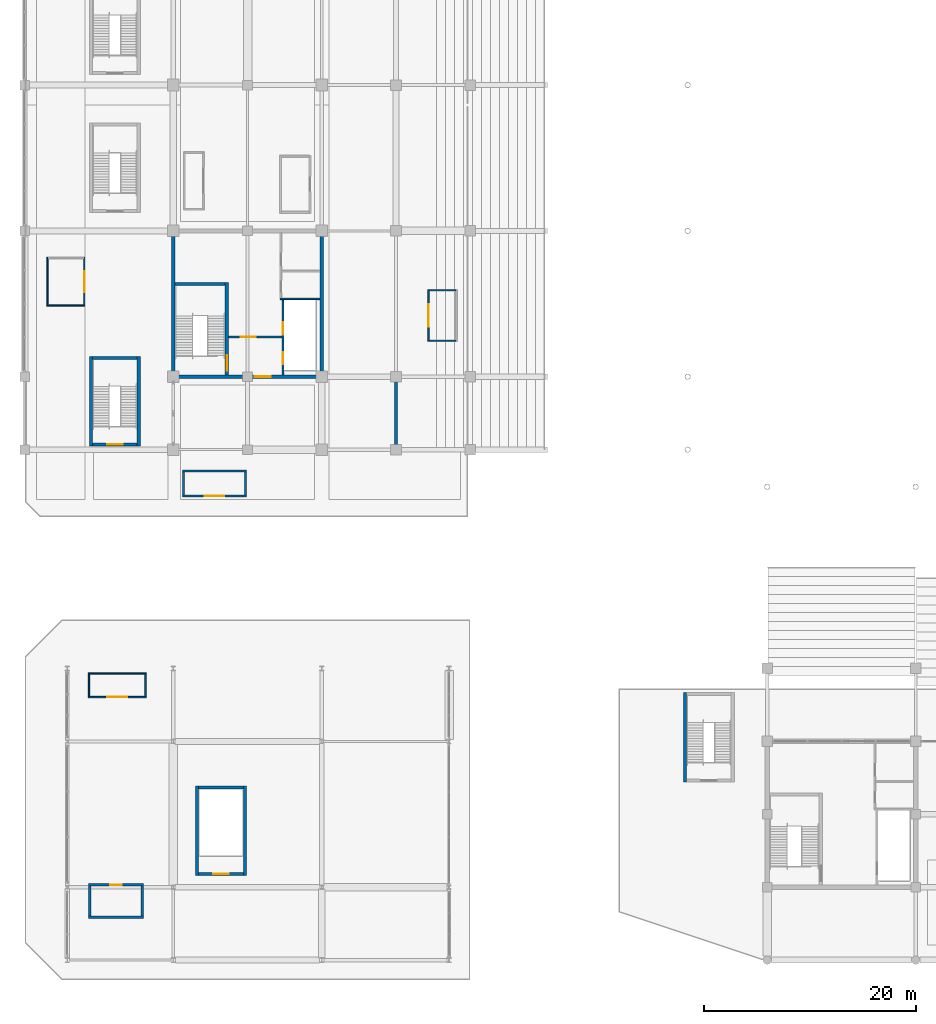
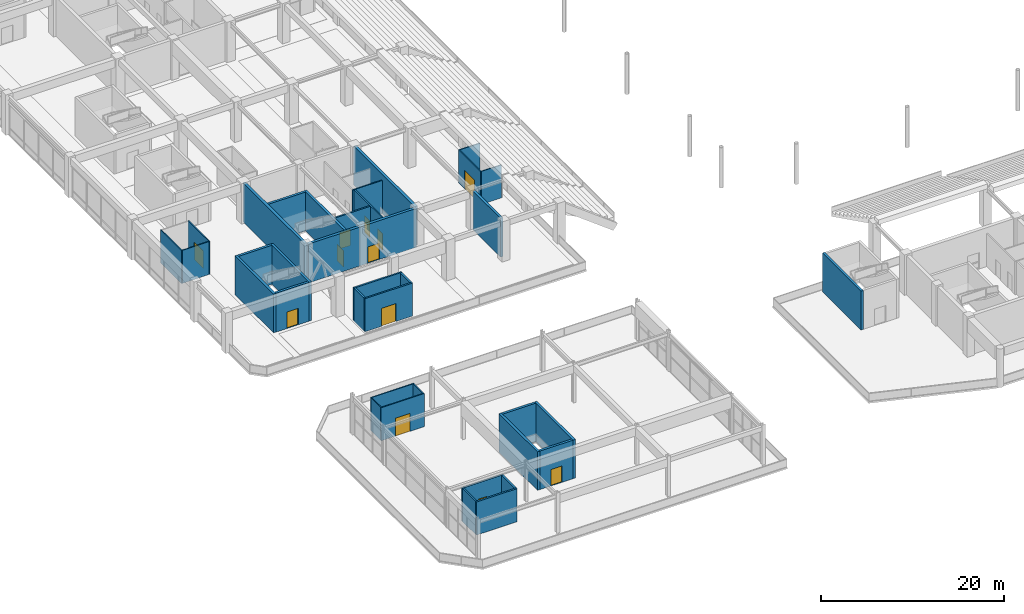
# One storey, part 87 of 117: 36 walls, 12 doors, 12 openings.
"""IFC4 building model written with IfcOpenShell, lengths in metres."""

from ifc_helpers import new_model, si_unit, direction, frame, frame_2d, origin, place, context, subcontext, project, spatial, rectangle, extrude, material, layer, layer_set, type_object, element, fill, save


model = new_model("IFC4")

# Units and contexts
model_context = context("Model", 3, precision=1e-05, world=origin(), true_north=direction((0.0, 1.0)))
body_context = subcontext(model_context, "Body", "Model", "MODEL_VIEW")
ifc_project = project(units=[si_unit("LENGTHUNIT", "METRE"), si_unit("AREAUNIT", "SQUARE_METRE"), si_unit("VOLUMEUNIT", "CUBIC_METRE"), si_unit("PLANEANGLEUNIT", "RADIAN"), si_unit("MASSUNIT", "GRAM", prefix="KILO")], contexts=[model_context])

# Site, building, storey
site_placement = place(None, origin())
site = spatial("IfcSite", under=ifc_project, at=site_placement, CompositionType="ELEMENT")
building_placement = place(site_placement, origin())
building = spatial("IfcBuilding", under=site, at=building_placement, Name="Linyun Crest Stadium", CompositionType="ELEMENT")
storey_placement = place(building_placement, frame((0.0, 0.0, 6.0)))
storey = spatial("IfcBuildingStorey", under=building, at=storey_placement, Name="L02", CompositionType="ELEMENT", Elevation=6.0)

# Walls
ifc_material_1 = material(Name="Concrete C50", Category="concrete")
ifc_layer_1 = layer(ifc_material_1, 0.35009765625)
ifc_layer_set_1 = layer_set([ifc_layer_1], Name="Concrete C50")
wall_type_1 = type_object("IfcWallType", Name="CW01", PredefinedType="SHEAR", material=ifc_layer_set_1)
for number, where, z_axis, x_axis, name in (
    (1, (-84.0, -38.949951171875, 0.0), (0.0, 0.0, 1.0), (0.0, 1.0, 0.0), "Core shear wall CW01 CORE-W1 L02.1"),
    (2, (-70.0, -38.949951171875, 0.0), (0.0, 0.0, 1.0), (0.0, 1.0, 0.0), "Core shear wall CW01 CORE-W1 L02.2"),
):
    element("IfcWall", number, at=place(storey_placement, frame(where, z_axis=z_axis, x_axis=x_axis)), inside=storey, type_object=wall_type_1, Name=name, PredefinedType="SHEAR", context=body_context, shape_type="SweptSolid", body=[
        extrude(rectangle(XDim=13.39990234375, YDim=0.35009765625, at=frame_2d((6.699951171875, 0.0))), origin(), (0.0, 0.0, 1.0), 5.199951171875),
    ])

# Wall, opening, door
wall_1_placement = place(storey_placement, frame((-83.824951171875, -39.125, 0.0), z_axis=(0.0, 0.0, 1.0), x_axis=(1.0, 0.0, 0.0)))
wall_1 = element("IfcWall", 3, at=wall_1_placement, inside=storey, type_object=wall_type_1, Name="Core shear wall CW01 CORE-W1 L02.3", PredefinedType="SHEAR", context=body_context, shape_type="SweptSolid", body=[
    extrude(rectangle(XDim=13.64990234375, YDim=0.35009765625, at=frame_2d((6.824951171875, 0.0))), origin(), (0.0, 0.0, 1.0), 5.199951171875),
])
opening_1_placement = place(wall_1_placement, frame((7.508056640625, 0.0, 0.0)))
opening_1 = element("IfcOpeningElement", 4, at=opening_1_placement, cuts=wall_1, Name="Opening D-L02-015", PredefinedType="OPENING", context=body_context, shape_type="SweptSolid", body=[
    extrude(rectangle(XDim=1.5, YDim=2.199951171875, at=frame_2d((0.75, 1.10009765625))), frame((0.0, 0.18505859375, 0.0), z_axis=(0.0, -1.0, 0.0), x_axis=(1.0, 0.0, 0.0)), (0.0, 0.0, 1.0), 0.3701171875),
])
ifc_material_2 = material(Name="Galvanized steel Class A fire door", Category="steel")
ifc_layer_2 = layer(ifc_material_2, 0.054931640625)
ifc_layer_set_2 = layer_set([ifc_layer_2], Name="Galvanized steel Class A fire door")
door_type_1 = type_object("IfcDoorType", Name="FD01", OperationType="NOTDEFINED", PredefinedType="DOOR", material=ifc_layer_set_2)
door_1_placement = place(opening_1_placement, origin())
door_1 = element("IfcDoor", 5, at=door_1_placement, inside=storey, type_object=door_type_1, Name="Door D-L02-015", OperationType="SINGLE_SWING_LEFT", OverallHeight=2.199951171875, OverallWidth=1.5, PredefinedType="DOOR", context=body_context, shape_type="SweptSolid", body=[
    extrude(rectangle(XDim=1.5, YDim=2.199951171875, at=frame_2d((0.75, 1.10009765625))), frame((0.0, 0.02490234375, 0.0), z_axis=(0.0, -1.0, 0.0), x_axis=(1.0, 0.0, 0.0)), (0.0, 0.0, 1.0), 0.050048828125),
])
fill(opening_1, door_1)

ifc_material_3 = material(Name="Autoclaved aerated concrete block with fireboard", Category="concrete")
ifc_layer_3 = layer(ifc_material_3, 0.199951171875)
ifc_layer_set_3 = layer_set([ifc_layer_3], Name="Autoclaved aerated concrete block with fireboard")
wall_type_2 = type_object("IfcWallType", Name="PW11", PredefinedType="PARTITIONING", material=ifc_layer_set_3)
wall_2_placement = place(storey_placement, frame((-78.800048828125, -35.375, 0.0), z_axis=(0.0, 0.0, 1.0), x_axis=(1.0, 0.0, 0.0)))
wall_2 = element("IfcWall", 6, at=wall_2_placement, inside=storey, type_object=wall_type_2, Name="Partition PW11 L02 7", PredefinedType="PARTITIONING", context=body_context, shape_type="SweptSolid", body=[
    extrude(rectangle(XDim=5.06005859375, YDim=0.199951171875, at=frame_2d((2.530029296875, 0.0))), origin(), (0.0, 0.0, 1.0), 4.419921875),
])
opening_2_placement = place(wall_2_placement, frame((1.169921875, 0.0, 0.0)))
opening_2 = element("IfcOpeningElement", 7, at=opening_2_placement, cuts=wall_2, Name="Opening D-L02-017", PredefinedType="OPENING", context=body_context, shape_type="SweptSolid", body=[
    extrude(rectangle(XDim=1.39990234375, YDim=2.199951171875, at=frame_2d((0.699951171875, 1.10009765625))), frame((0.0, 0.10986328125, 0.0), z_axis=(0.0, -1.0, 0.0), x_axis=(1.0, 0.0, 0.0)), (0.0, 0.0, 1.0), 0.219970703125),
])
ifc_material_4 = material(Name="Galvanized steel Class B fire door", Category="steel")
ifc_layer_4 = layer(ifc_material_4, 0.054931640625)
ifc_layer_set_4 = layer_set([ifc_layer_4], Name="Galvanized steel Class B fire door")
door_type_2 = type_object("IfcDoorType", Name="FD03", OperationType="NOTDEFINED", PredefinedType="DOOR", material=ifc_layer_set_4)
door_2_placement = place(opening_2_placement, origin())
door_2 = element("IfcDoor", 8, at=door_2_placement, inside=storey, type_object=door_type_2, Name="Door D-L02-017", OperationType="SINGLE_SWING_LEFT", OverallHeight=2.199951171875, OverallWidth=1.39990234375, PredefinedType="DOOR", context=body_context, shape_type="SweptSolid", body=[
    extrude(rectangle(XDim=1.39990234375, YDim=2.199951171875, at=frame_2d((0.699951171875, 1.10009765625))), frame((0.0, 0.02490234375, 0.0), z_axis=(0.0, -1.0, 0.0), x_axis=(1.0, 0.0, 0.0)), (0.0, 0.0, 1.0), 0.050048828125),
])
fill(opening_2, door_2)

# Wall, openings, doors
ifc_material_5 = material(Name="Autoclaved aerated concrete block fire partition", Category="concrete")
ifc_layer_5 = layer(ifc_material_5, 0.179931640625)
ifc_layer_set_5 = layer_set([ifc_layer_5], Name="Autoclaved aerated concrete block fire partition")
wall_type_3 = type_object("IfcWallType", Name="PW12", PredefinedType="PARTITIONING", material=ifc_layer_set_5)
wall_3_placement = place(storey_placement, frame((-73.64990234375, -38.949951171875, 0.0), z_axis=(0.0, 0.0, 1.0), x_axis=(0.0, 1.0, 0.0)))
wall_3 = element("IfcWall", 9, at=wall_3_placement, inside=storey, type_object=wall_type_3, Name="Partition PW12 L02 8", PredefinedType="PARTITIONING", context=body_context, shape_type="SweptSolid", body=[
    extrude(rectangle(XDim=7.10498046875, YDim=0.179931640625, at=frame_2d((3.552490234375, 0.0))), origin(), (0.0, 0.0, 1.0), 4.419921875),
])
opening_3_placement = place(wall_3_placement, frame((1.02490234375, 0.0, 0.0)))
opening_3 = element("IfcOpeningElement", 10, at=opening_3_placement, cuts=wall_3, Name="Opening LD005", PredefinedType="OPENING", context=body_context, shape_type="SweptSolid", body=[
    extrude(rectangle(XDim=1.10009765625, YDim=2.199951171875, at=frame_2d((0.550048828125, 1.10009765625))), frame((0.0, 0.099853515625, 0.0), z_axis=(0.0, -1.0, 0.0), x_axis=(1.0, 0.0, 0.0)), (0.0, 0.0, 1.0), 0.199951171875),
])
opening_4_placement = place(wall_3_placement, frame((3.77490234375, 0.0, 0.0)))
opening_4 = element("IfcOpeningElement", 11, at=opening_4_placement, cuts=wall_3, Name="Opening LD006", PredefinedType="OPENING", context=body_context, shape_type="SweptSolid", body=[
    extrude(rectangle(XDim=1.199951171875, YDim=2.25, at=frame_2d((0.60009765625, 1.125))), frame((0.0, 0.099853515625, 0.0), z_axis=(0.0, -1.0, 0.0), x_axis=(1.0, 0.0, 0.0)), (0.0, 0.0, 1.0), 0.199951171875),
])
ifc_material_6 = material(Name="Brushed stainless sliding lift door")
ifc_layer_6 = layer(ifc_material_6, 0.050048828125)
ifc_layer_set_6 = layer_set([ifc_layer_6], Name="Brushed stainless sliding lift door")
door_type_3 = type_object("IfcDoorType", Name="LD01", OperationType="NOTDEFINED", PredefinedType="DOOR", material=ifc_layer_set_6)
door_3_placement = place(opening_3_placement, origin())
door_3 = element("IfcDoor", 12, at=door_3_placement, inside=storey, type_object=door_type_3, Name="Lift landing door LD005", OperationType="DOUBLE_DOOR_SLIDING", OverallHeight=2.199951171875, OverallWidth=1.10009765625, PredefinedType="DOOR", context=body_context, shape_type="SweptSolid", body=[
    extrude(rectangle(XDim=1.10009765625, YDim=2.199951171875, at=frame_2d((0.550048828125, 1.10009765625))), frame((0.0, 0.02490234375, 0.0), z_axis=(0.0, -1.0, 0.0), x_axis=(1.0, 0.0, 0.0)), (0.0, 0.0, 1.0), 0.050048828125),
])
fill(opening_3, door_3)
ifc_material_7 = material(Name="Brushed stainless sliding lift door")
ifc_layer_7 = layer(ifc_material_7, 0.050048828125)
ifc_layer_set_7 = layer_set([ifc_layer_7], Name="Brushed stainless sliding lift door")
door_type_4 = type_object("IfcDoorType", Name="LD02", OperationType="NOTDEFINED", PredefinedType="DOOR", material=ifc_layer_set_7)
door_4_placement = place(opening_4_placement, origin())
door_4 = element("IfcDoor", 13, at=door_4_placement, inside=storey, type_object=door_type_4, Name="Lift landing door LD006", OperationType="DOUBLE_DOOR_SLIDING", OverallHeight=2.25, OverallWidth=1.199951171875, PredefinedType="DOOR", context=body_context, shape_type="SweptSolid", body=[
    extrude(rectangle(XDim=1.199951171875, YDim=2.25, at=frame_2d((0.60009765625, 1.125))), frame((0.0, 0.02490234375, 0.0), z_axis=(0.0, -1.0, 0.0), x_axis=(1.0, 0.0, 0.0)), (0.0, 0.0, 1.0), 0.050048828125),
])
fill(opening_4, door_4)

# Wall
ifc_material_8 = material(Name="Moisture-resistant ceramic-tiled wet-room wall")
ifc_layer_8 = layer(ifc_material_8, 0.139892578125)
ifc_layer_set_8 = layer_set([ifc_layer_8], Name="Moisture-resistant ceramic-tiled wet-room wall")
wall_type_4 = type_object("IfcWallType", Name="PW15", PredefinedType="PARTITIONING", material=ifc_layer_set_8)
wall_4_placement = place(storey_placement, frame((-73.919921875, -31.77490234375, 0.0), z_axis=(0.0, 0.0, 1.0), x_axis=(1.0, 0.0, 0.0)))
element("IfcWall", 14, at=wall_4_placement, inside=storey, type_object=wall_type_4, Name="Enclosure partition PW15 L02 5", PredefinedType="PARTITIONING", context=body_context, shape_type="SweptSolid", body=[
    extrude(rectangle(XDim=3.744873046875, YDim=0.139892578125, at=frame_2d((1.87255859375, 0.0))), origin(), (0.0, 0.0, 1.0), 4.419921875),
])

# Wall, opening, door
ifc_material_9 = material(Name="Acoustic broadcast studio double-leaf partition")
ifc_layer_9 = layer(ifc_material_9, 0.219970703125)
ifc_layer_set_9 = layer_set([ifc_layer_9], Name="Acoustic broadcast studio double-leaf partition")
wall_type_5 = type_object("IfcWallType", Name="PW16", PredefinedType="PARTITIONING", material=ifc_layer_set_9)
wall_5_placement = place(storey_placement, frame((-91.985107421875, -87.030029296875, 0.0), z_axis=(0.0, 0.0, 1.0), x_axis=(1.0, 0.0, 0.0)))
wall_5 = element("IfcWall", 15, at=wall_5_placement, inside=storey, type_object=wall_type_5, Name="Partition PW16 L02 197", PredefinedType="PARTITIONING", context=body_context, shape_type="SweptSolid", body=[
    extrude(rectangle(XDim=5.18017578125, YDim=0.219970703125, at=frame_2d((2.590087890625, 0.0))), origin(), (0.0, 0.0, 1.0), 4.419921875),
])
opening_5_placement = place(wall_5_placement, frame((2.06494140625, 0.0, 0.0)))
opening_5 = element("IfcOpeningElement", 16, at=opening_5_placement, cuts=wall_5, Name="Opening D-L02-460", PredefinedType="OPENING", context=body_context, shape_type="SweptSolid", body=[
    extrude(rectangle(XDim=1.050048828125, YDim=2.25, at=frame_2d((0.52490234375, 1.125))), frame((0.0, 0.119873046875, 0.0), z_axis=(0.0, -1.0, 0.0), x_axis=(1.0, 0.0, 0.0)), (0.0, 0.0, 1.0), 0.239990234375),
])
ifc_material_10 = material(Name="Walnut and brass Art Nouveau door")
ifc_layer_10 = layer(ifc_material_10, 0.050048828125)
ifc_layer_set_10 = layer_set([ifc_layer_10], Name="Walnut and brass Art Nouveau door")
door_type_5 = type_object("IfcDoorType", Name="ID05", OperationType="NOTDEFINED", PredefinedType="DOOR", material=ifc_layer_set_10)
door_5_placement = place(opening_5_placement, origin())
door_5 = element("IfcDoor", 17, at=door_5_placement, inside=storey, type_object=door_type_5, Name="Door D-L02-460", OperationType="SINGLE_SWING_RIGHT", OverallHeight=2.25, OverallWidth=1.050048828125, PredefinedType="DOOR", context=body_context, shape_type="SweptSolid", body=[
    extrude(rectangle(XDim=1.050048828125, YDim=2.25, at=frame_2d((0.52490234375, 1.125))), frame((0.0, 0.02490234375, 0.0), z_axis=(0.0, -1.0, 0.0), x_axis=(1.0, 0.0, 0.0)), (0.0, 0.0, 1.0), 0.050048828125),
])
fill(opening_5, door_5)

# Walls
wall_6_placement = place(storey_placement, frame((-91.985107421875, -90.090087890625, 0.0), z_axis=(0.0, 0.0, 1.0), x_axis=(1.0, 0.0, 0.0)))
element("IfcWall", 18, at=wall_6_placement, inside=storey, type_object=wall_type_5, Name="Enclosure partition PW16 L02 307", PredefinedType="PARTITIONING", context=body_context, shape_type="SweptSolid", body=[
    extrude(rectangle(XDim=5.18017578125, YDim=0.219970703125, at=frame_2d((2.590087890625, 0.0))), origin(), (0.0, 0.0, 1.0), 4.419921875),
])
for number, where, z_axis, x_axis, name in (
    (19, (-91.875, -89.97998046875, 0.0), (0.0, 0.0, 1.0), (0.0, 1.0, 0.0), "Enclosure partition PW16 L02 308"),
    (20, (-86.9150390625, -89.97998046875, 0.0), (0.0, 0.0, 1.0), (0.0, 1.0, 0.0), "Enclosure partition PW16 L02 309"),
):
    element("IfcWall", number, at=place(storey_placement, frame(where, z_axis=z_axis, x_axis=x_axis)), inside=storey, type_object=wall_type_5, Name=name, PredefinedType="PARTITIONING", context=body_context, shape_type="SweptSolid", body=[
        extrude(rectangle(XDim=2.840087890625, YDim=0.219970703125, at=frame_2d((1.419921875, 0.0))), origin(), (0.0, 0.0, 1.0), 4.419921875),
    ])

# Wall, opening, door
ifc_material_11 = material(Name="Steel-stud hospitality suite partition", Category="steel")
ifc_layer_11 = layer(ifc_material_11, 0.125)
ifc_layer_set_11 = layer_set([ifc_layer_11], Name="Steel-stud hospitality suite partition")
wall_type_6 = type_object("IfcWallType", Name="PW17", PredefinedType="PARTITIONING", material=ifc_layer_set_11)
wall_7_placement = place(storey_placement, frame((-86.541015625, -69.330078125, 0.0), z_axis=(0.0, 0.0, 1.0), x_axis=(-1.0, 0.0, 0.0)))
wall_7 = element("IfcWall", 21, at=wall_7_placement, inside=storey, type_object=wall_type_6, Name="Partition PW17 L02 198", PredefinedType="PARTITIONING", context=body_context, shape_type="SweptSolid", body=[
    extrude(rectangle(XDim=5.469970703125, YDim=0.125, at=frame_2d((2.73486328125, 0.0))), origin(), (0.0, 0.0, 1.0), 4.419921875),
])
opening_6_placement = place(wall_7_placement, frame((1.81005859375, 0.0, 0.0)))
opening_6 = element("IfcOpeningElement", 22, at=opening_6_placement, cuts=wall_7, Name="Opening D-L02-461", PredefinedType="OPENING", context=body_context, shape_type="SweptSolid", body=[
    extrude(rectangle(XDim=1.85009765625, YDim=2.39990234375, at=frame_2d((0.925048828125, 1.199951171875))), frame((0.0, 0.072509765625, 0.0), z_axis=(0.0, -1.0, 0.0), x_axis=(1.0, 0.0, 0.0)), (0.0, 0.0, 1.0), 0.14501953125),
])
ifc_material_12 = material(Name="Double glazed timber-and-brass door", Category="wood")
ifc_layer_12 = layer(ifc_material_12, 0.054931640625)
ifc_layer_set_12 = layer_set([ifc_layer_12], Name="Double glazed timber-and-brass door")
door_type_6 = type_object("IfcDoorType", Name="ID06", OperationType="NOTDEFINED", PredefinedType="DOOR", material=ifc_layer_set_12)
door_6_placement = place(opening_6_placement, origin())
door_6 = element("IfcDoor", 23, at=door_6_placement, inside=storey, type_object=door_type_6, Name="Door D-L02-461", OperationType="DOUBLE_DOOR_SINGLE_SWING", OverallHeight=2.39990234375, OverallWidth=1.85009765625, PredefinedType="DOOR", context=body_context, shape_type="SweptSolid", body=[
    extrude(rectangle(XDim=1.85009765625, YDim=2.39990234375, at=frame_2d((0.925048828125, 1.199951171875))), frame((0.0, 0.02490234375, 0.0), z_axis=(0.0, -1.0, 0.0), x_axis=(1.0, 0.0, 0.0)), (0.0, 0.0, 1.0), 0.050048828125),
])
fill(opening_6, door_6)

# Walls
wall_8_placement = place(storey_placement, frame((-92.010986328125, -67.110107421875, 0.0), z_axis=(0.0, 0.0, 1.0), x_axis=(1.0, 0.0, 0.0)))
element("IfcWall", 24, at=wall_8_placement, inside=storey, type_object=wall_type_6, Name="Enclosure partition PW17 L02 310", PredefinedType="PARTITIONING", context=body_context, shape_type="SweptSolid", body=[
    extrude(rectangle(XDim=5.469970703125, YDim=0.125, at=frame_2d((2.73486328125, 0.0))), origin(), (0.0, 0.0, 1.0), 4.419921875),
])
for number, where, z_axis, x_axis, name in (
    (25, (-91.947998046875, -69.26708984375, 0.0), (0.0, 0.0, 1.0), (0.0, 1.0, 0.0), "Enclosure partition PW17 L02 311"),
    (26, (-86.60400390625, -69.26708984375, 0.0), (0.0, 0.0, 1.0), (0.0, 1.0, 0.0), "Enclosure partition PW17 L02 312"),
):
    element("IfcWall", number, at=place(storey_placement, frame(where, z_axis=z_axis, x_axis=x_axis)), inside=storey, type_object=wall_type_6, Name=name, PredefinedType="PARTITIONING", context=body_context, shape_type="SweptSolid", body=[
        extrude(rectangle(XDim=2.093994140625, YDim=0.125, at=frame_2d((1.046875, 0.0))), origin(), (0.0, 0.0, 1.0), 4.419921875),
    ])

# Wall, opening, door
ifc_material_13 = material(Name="Glazed hospitality salon screen partition")
ifc_layer_13 = layer(ifc_material_13, 0.114990234375)
ifc_layer_set_13 = layer_set([ifc_layer_13], Name="Glazed hospitality salon screen partition")
wall_type_7 = type_object("IfcWallType", Name="PW21", PredefinedType="PARTITIONING", material=ifc_layer_set_13)
wall_9_placement = place(storey_placement, frame((-92.386962890625, -27.867919921875, 0.0), z_axis=(0.0, 0.0, 1.0), x_axis=(0.0, -1.0, 0.0)))
wall_9 = element("IfcWall", 27, at=wall_9_placement, inside=storey, type_object=wall_type_7, Name="Partition PW21 L02 181", PredefinedType="PARTITIONING", context=body_context, shape_type="SweptSolid", body=[
    extrude(rectangle(XDim=4.60009765625, YDim=0.114990234375, at=frame_2d((2.300048828125, 0.0))), origin(), (0.0, 0.0, 1.0), 4.419921875),
])
opening_7_placement = place(wall_9_placement, frame((1.324951171875, 0.0, 0.0)))
opening_7 = element("IfcOpeningElement", 28, at=opening_7_placement, cuts=wall_9, Name="Opening D-L02-444", PredefinedType="OPENING", context=body_context, shape_type="SweptSolid", body=[
    extrude(rectangle(XDim=1.949951171875, YDim=2.35009765625, at=frame_2d((0.97509765625, 1.175048828125))), frame((0.0, 0.0673828125, 0.0), z_axis=(0.0, -1.0, 0.0), x_axis=(1.0, 0.0, 0.0)), (0.0, 0.0, 1.0), 0.135009765625),
])
ifc_material_14 = material(Name="Arched glazed cafe double door")
ifc_layer_14 = layer(ifc_material_14, 0.054931640625)
ifc_layer_set_14 = layer_set([ifc_layer_14], Name="Arched glazed cafe double door")
door_type_7 = type_object("IfcDoorType", Name="ID17", OperationType="NOTDEFINED", PredefinedType="DOOR", material=ifc_layer_set_14)
door_7_placement = place(opening_7_placement, origin())
door_7 = element("IfcDoor", 29, at=door_7_placement, inside=storey, type_object=door_type_7, Name="Door D-L02-444", OperationType="DOUBLE_DOOR_SINGLE_SWING", OverallHeight=2.35009765625, OverallWidth=1.949951171875, PredefinedType="DOOR", context=body_context, shape_type="SweptSolid", body=[
    extrude(rectangle(XDim=1.949951171875, YDim=2.35009765625, at=frame_2d((0.97509765625, 1.175048828125))), frame((0.0, 0.02490234375, 0.0), z_axis=(0.0, -1.0, 0.0), x_axis=(1.0, 0.0, 0.0)), (0.0, 0.0, 1.0), 0.050048828125),
])
fill(opening_7, door_7)

# Walls
wall_10_placement = place(storey_placement, frame((-95.866943359375, -32.468017578125, 0.0), z_axis=(0.0, 0.0, 1.0), x_axis=(0.0, 1.0, 0.0)))
element("IfcWall", 30, at=wall_10_placement, inside=storey, type_object=wall_type_7, Name="Enclosure partition PW21 L02 259", PredefinedType="PARTITIONING", context=body_context, shape_type="SweptSolid", body=[
    extrude(rectangle(XDim=4.60009765625, YDim=0.114990234375, at=frame_2d((2.300048828125, 0.0))), origin(), (0.0, 0.0, 1.0), 4.419921875),
])
wall_11_placement = place(storey_placement, frame((-95.80908203125, -32.409912109375, 0.0), z_axis=(0.0, 0.0, 1.0), x_axis=(1.0, 0.0, 0.0)))
element("IfcWall", 31, at=wall_11_placement, inside=storey, type_object=wall_type_7, Name="Enclosure partition PW21 L02 260", PredefinedType="PARTITIONING", context=body_context, shape_type="SweptSolid", body=[
    extrude(rectangle(XDim=3.364013671875, YDim=0.114990234375, at=frame_2d((1.68212890625, 0.0))), origin(), (0.0, 0.0, 1.0), 4.419921875),
])

# Wall, opening, door
ifc_material_15 = material(Name="Acoustic commentary booth partition")
ifc_layer_15 = layer(ifc_material_15, 0.1298828125)
ifc_layer_set_15 = layer_set([ifc_layer_15], Name="Acoustic commentary booth partition")
wall_type_8 = type_object("IfcWallType", Name="PW22", PredefinedType="PARTITIONING", material=ifc_layer_set_15)
wall_12_placement = place(storey_placement, frame((-59.948974609375, -35.797119140625, 0.0), z_axis=(0.0, 0.0, 1.0), x_axis=(0.0, 1.0, 0.0)))
wall_12 = element("IfcWall", 32, at=wall_12_placement, inside=storey, type_object=wall_type_8, Name="Partition PW22 L02 182", PredefinedType="PARTITIONING", context=body_context, shape_type="SweptSolid", body=[
    extrude(rectangle(XDim=4.89013671875, YDim=0.1298828125, at=frame_2d((2.445068359375, 0.0))), origin(), (0.0, 0.0, 1.0), 4.419921875),
])
opening_8_placement = place(wall_12_placement, frame((1.3701171875, 0.0, 0.0)))
opening_8 = element("IfcOpeningElement", 33, at=opening_8_placement, cuts=wall_12, Name="Opening D-L02-445", PredefinedType="OPENING", context=body_context, shape_type="SweptSolid", body=[
    extrude(rectangle(XDim=2.14990234375, YDim=2.449951171875, at=frame_2d((1.074951171875, 1.22509765625))), frame((0.0, 0.074951171875, 0.0), z_axis=(0.0, -1.0, 0.0), x_axis=(1.0, 0.0, 0.0)), (0.0, 0.0, 1.0), 0.14990234375),
])
ifc_material_16 = material(Name="Anodized aluminium retail door", Category="aluminium")
ifc_layer_16 = layer(ifc_material_16, 0.054931640625)
ifc_layer_set_16 = layer_set([ifc_layer_16], Name="Anodized aluminium retail door")
door_type_8 = type_object("IfcDoorType", Name="ID18", OperationType="NOTDEFINED", PredefinedType="DOOR", material=ifc_layer_set_16)
door_8_placement = place(opening_8_placement, origin())
door_8 = element("IfcDoor", 34, at=door_8_placement, inside=storey, type_object=door_type_8, Name="Door D-L02-445", OperationType="DOUBLE_DOOR_SINGLE_SWING", OverallHeight=2.449951171875, OverallWidth=2.14990234375, PredefinedType="DOOR", context=body_context, shape_type="SweptSolid", body=[
    extrude(rectangle(XDim=2.14990234375, YDim=2.449951171875, at=frame_2d((1.074951171875, 1.22509765625))), frame((0.0, 0.02490234375, 0.0), z_axis=(0.0, -1.0, 0.0), x_axis=(1.0, 0.0, 0.0)), (0.0, 0.0, 1.0), 0.050048828125),
])
fill(opening_8, door_8)

# Walls
for number, where, z_axis, x_axis, name in (
    (35, (-59.884033203125, -35.73193359375, 0.0), (0.0, 0.0, 1.0), (1.0, 0.0, 0.0), "Enclosure partition PW22 L02 263"),
    (36, (-59.884033203125, -30.971923828125, 0.0), (0.0, 0.0, 1.0), (1.0, 0.0, 0.0), "Enclosure partition PW22 L02 264"),
):
    element("IfcWall", number, at=place(storey_placement, frame(where, z_axis=z_axis, x_axis=x_axis)), inside=storey, type_object=wall_type_8, Name=name, PredefinedType="PARTITIONING", context=body_context, shape_type="SweptSolid", body=[
        extrude(rectangle(XDim=2.510009765625, YDim=0.1298828125, at=frame_2d((1.2548828125, 0.0))), origin(), (0.0, 0.0, 1.0), 4.419921875),
    ])

# Wall, opening, door
ifc_material_17 = material(Name="Kitchen hood and service riser enclosure wall")
ifc_layer_17 = layer(ifc_material_17, 0.2099609375)
ifc_layer_set_17 = layer_set([ifc_layer_17], Name="Kitchen hood and service riser enclosure wall")
wall_type_9 = type_object("IfcWallType", Name="PW26", PredefinedType="PARTITIONING", material=ifc_layer_set_17)
wall_13_placement = place(storey_placement, frame((-77.089111328125, -50.364013671875, 0.0), z_axis=(0.0, 0.0, 1.0), x_axis=(-1.0, 0.0, 0.0)))
wall_13 = element("IfcWall", 37, at=wall_13_placement, inside=storey, type_object=wall_type_9, Name="Partition PW26 L02 186", PredefinedType="PARTITIONING", context=body_context, shape_type="SweptSolid", body=[
    extrude(rectangle(XDim=6.0498046875, YDim=0.2099609375, at=frame_2d((3.02490234375, 0.0))), origin(), (0.0, 0.0, 1.0), 4.419921875),
])
opening_9_placement = place(wall_13_placement, frame((2.10009765625, 0.0, 0.0)))
opening_9 = element("IfcOpeningElement", 38, at=opening_9_placement, cuts=wall_13, Name="Opening D-L02-449", PredefinedType="OPENING", context=body_context, shape_type="SweptSolid", body=[
    extrude(rectangle(XDim=1.85009765625, YDim=2.39990234375, at=frame_2d((0.925048828125, 1.199951171875))), frame((0.0, 0.114990234375, 0.0), z_axis=(0.0, -1.0, 0.0), x_axis=(1.0, 0.0, 0.0)), (0.0, 0.0, 1.0), 0.22998046875),
])
door_9_placement = place(opening_9_placement, origin())
door_9 = element("IfcDoor", 39, at=door_9_placement, inside=storey, type_object=door_type_6, Name="Door D-L02-449", OperationType="DOUBLE_DOOR_SINGLE_SWING", OverallHeight=2.39990234375, OverallWidth=1.85009765625, PredefinedType="DOOR", context=body_context, shape_type="SweptSolid", body=[
    extrude(rectangle(XDim=1.85009765625, YDim=2.39990234375, at=frame_2d((0.925048828125, 1.199951171875))), frame((0.0, 0.02490234375, 0.0), z_axis=(0.0, -1.0, 0.0), x_axis=(1.0, 0.0, 0.0)), (0.0, 0.0, 1.0), 0.050048828125),
])
fill(opening_9, door_9)

# Walls
wall_14_placement = place(storey_placement, frame((-83.138916015625, -48.013916015625, 0.0), z_axis=(0.0, 0.0, 1.0), x_axis=(1.0, 0.0, 0.0)))
element("IfcWall", 40, at=wall_14_placement, inside=storey, type_object=wall_type_9, Name="Enclosure partition PW26 L02 274", PredefinedType="PARTITIONING", context=body_context, shape_type="SweptSolid", body=[
    extrude(rectangle(XDim=6.0498046875, YDim=0.2099609375, at=frame_2d((3.02490234375, 0.0))), origin(), (0.0, 0.0, 1.0), 4.419921875),
])
for number, where, z_axis, x_axis, name in (
    (41, (-83.033935546875, -50.259033203125, 0.0), (0.0, 0.0, 1.0), (0.0, 1.0, 0.0), "Enclosure partition PW26 L02 275"),
    (42, (-77.194091796875, -50.259033203125, 0.0), (0.0, 0.0, 1.0), (0.0, 1.0, 0.0), "Enclosure partition PW26 L02 276"),
):
    element("IfcWall", number, at=place(storey_placement, frame(where, z_axis=z_axis, x_axis=x_axis)), inside=storey, type_object=wall_type_9, Name=name, PredefinedType="PARTITIONING", context=body_context, shape_type="SweptSolid", body=[
        extrude(rectangle(XDim=2.14013671875, YDim=0.2099609375, at=frame_2d((1.070068359375, 0.0))), origin(), (0.0, 0.0, 1.0), 4.419921875),
    ])
ifc_material_18 = material(Name="Concrete C50", Category="concrete")
ifc_layer_18 = layer(ifc_material_18, 0.300048828125)
ifc_layer_set_18 = layer_set([ifc_layer_18], Name="Concrete C50")
wall_type_10 = type_object("IfcWallType", Name="SW01", PredefinedType="SHEAR", material=ifc_layer_set_18)
wall_15_placement = place(storey_placement, frame((-63.0, -45.550048828125, 0.0), z_axis=(0.0, 0.0, 1.0), x_axis=(0.0, 1.0, 0.0)))
element("IfcWall", 43, at=wall_15_placement, inside=storey, type_object=wall_type_10, Name="Shear wall SW01 L02 303", PredefinedType="SHEAR", context=body_context, shape_type="SweptSolid", body=[
    extrude(rectangle(XDim=6.050048828125, YDim=0.300048828125, at=frame_2d((3.02490234375, 0.0))), origin(), (0.0, 0.0, 1.0), 5.199951171875),
])

# Wall, opening, door
wall_16_placement = place(storey_placement, frame((-78.949951171875, -38.949951171875, 0.0), z_axis=(0.0, 0.0, 1.0), x_axis=(0.0, 1.0, 0.0)))
wall_16 = element("IfcWall", 44, at=wall_16_placement, inside=storey, type_object=wall_type_10, Name="Core stair east bearing wall SW01 1 L02", PredefinedType="SHEAR", context=body_context, shape_type="SweptSolid", body=[
    extrude(rectangle(XDim=8.724853515625, YDim=0.300048828125, at=frame_2d((4.3623046875, 0.0))), origin(), (0.0, 0.0, 1.0), 5.199951171875),
])
opening_10_placement = place(wall_16_placement, frame((0.39501953125, 0.0, 0.0)))
opening_10 = element("IfcOpeningElement", 45, at=opening_10_placement, cuts=wall_16, Name="Opening D-L02-016", PredefinedType="OPENING", context=body_context, shape_type="SweptSolid", body=[
    extrude(rectangle(XDim=1.449951171875, YDim=2.199951171875, at=frame_2d((0.72509765625, 1.10009765625))), frame((0.0, 0.159912109375, 0.0), z_axis=(0.0, -1.0, 0.0), x_axis=(1.0, 0.0, 0.0)), (0.0, 0.0, 1.0), 0.320068359375),
])
ifc_material_19 = material(Name="Galvanized steel Class A fire door", Category="steel")
ifc_layer_19 = layer(ifc_material_19, 0.054931640625)
ifc_layer_set_19 = layer_set([ifc_layer_19], Name="Galvanized steel Class A fire door")
door_type_9 = type_object("IfcDoorType", Name="FD02", OperationType="NOTDEFINED", PredefinedType="DOOR", material=ifc_layer_set_19)
door_10_placement = place(opening_10_placement, origin())
door_10 = element("IfcDoor", 46, at=door_10_placement, inside=storey, type_object=door_type_9, Name="Door D-L02-016", OperationType="SINGLE_SWING_RIGHT", OverallHeight=2.199951171875, OverallWidth=1.449951171875, PredefinedType="DOOR", context=body_context, shape_type="SweptSolid", body=[
    extrude(rectangle(XDim=1.449951171875, YDim=2.199951171875, at=frame_2d((0.72509765625, 1.10009765625))), frame((0.0, 0.02490234375, 0.0), z_axis=(0.0, -1.0, 0.0), x_axis=(1.0, 0.0, 0.0)), (0.0, 0.0, 1.0), 0.050048828125),
])
fill(opening_10, door_10)

# Wall
wall_17_placement = place(storey_placement, frame((-83.824951171875, -30.375, 0.0), z_axis=(0.0, 0.0, 1.0), x_axis=(1.0, 0.0, 0.0)))
element("IfcWall", 47, at=wall_17_placement, inside=storey, type_object=wall_type_10, Name="Core stair bearing wall SW01 1 L02", PredefinedType="SHEAR", context=body_context, shape_type="SweptSolid", body=[
    extrude(rectangle(XDim=4.724853515625, YDim=0.300048828125, at=frame_2d((2.3623046875, 0.0))), origin(), (0.0, 0.0, 1.0), 5.199951171875),
])

# Wall, opening, door
wall_18_placement = place(storey_placement, frame((-91.60009765625, -45.5, 0.0), z_axis=(0.0, 0.0, 1.0), x_axis=(1.0, 0.0, 0.0)))
wall_18 = element("IfcWall", 48, at=wall_18_placement, inside=storey, type_object=wall_type_10, Name="Stair shaft wall SW01 STR-13 L02 S", PredefinedType="SHEAR", context=body_context, shape_type="SweptSolid", body=[
    extrude(rectangle(XDim=4.2001953125, YDim=0.300048828125, at=frame_2d((2.10009765625, 0.0))), origin(), (0.0, 0.0, 1.0), 5.199951171875),
])
opening_11_placement = place(wall_18_placement, frame((1.375, 0.0, 0.0)))
opening_11 = element("IfcOpeningElement", 49, at=opening_11_placement, cuts=wall_18, Name="Opening D-L02-542", PredefinedType="OPENING", context=body_context, shape_type="SweptSolid", body=[
    extrude(rectangle(XDim=1.449951171875, YDim=2.199951171875, at=frame_2d((0.72509765625, 1.10009765625))), frame((0.0, 0.159912109375, 0.0), z_axis=(0.0, -1.0, 0.0), x_axis=(1.0, 0.0, 0.0)), (0.0, 0.0, 1.0), 0.320068359375),
])
door_11_placement = place(opening_11_placement, origin())
door_11 = element("IfcDoor", 50, at=door_11_placement, inside=storey, type_object=door_type_9, Name="Door D-L02-542", OperationType="SINGLE_SWING_RIGHT", OverallHeight=2.199951171875, OverallWidth=1.449951171875, PredefinedType="DOOR", context=body_context, shape_type="SweptSolid", body=[
    extrude(rectangle(XDim=1.449951171875, YDim=2.199951171875, at=frame_2d((0.72509765625, 1.10009765625))), frame((0.0, 0.02490234375, 0.0), z_axis=(0.0, -1.0, 0.0), x_axis=(1.0, 0.0, 0.0)), (0.0, 0.0, 1.0), 0.050048828125),
])
fill(opening_11, door_11)

# Walls
wall_19_placement = place(storey_placement, frame((-91.60009765625, -37.35009765625, 0.0), z_axis=(0.0, 0.0, 1.0), x_axis=(1.0, 0.0, 0.0)))
element("IfcWall", 51, at=wall_19_placement, inside=storey, type_object=wall_type_10, Name="Stair shaft wall SW01 STR-13 L02 N", PredefinedType="SHEAR", context=body_context, shape_type="SweptSolid", body=[
    extrude(rectangle(XDim=4.2001953125, YDim=0.300048828125, at=frame_2d((2.10009765625, 0.0))), origin(), (0.0, 0.0, 1.0), 5.199951171875),
])
for number, where, z_axis, x_axis, name in (
    (52, (-91.75, -45.64990234375, 0.0), (0.0, 0.0, 1.0), (0.0, 1.0, 0.0), "Stair shaft wall SW01 STR-13 L02 W"),
    (53, (-87.25, -45.64990234375, 0.0), (0.0, 0.0, 1.0), (0.0, 1.0, 0.0), "Stair shaft wall SW01 STR-13 L02 E"),
):
    element("IfcWall", number, at=place(storey_placement, frame(where, z_axis=z_axis, x_axis=x_axis)), inside=storey, type_object=wall_type_10, Name=name, PredefinedType="SHEAR", context=body_context, shape_type="SweptSolid", body=[
        extrude(rectangle(XDim=8.449951171875, YDim=0.300048828125, at=frame_2d((4.22509765625, 0.0))), origin(), (0.0, 0.0, 1.0), 5.199951171875),
    ])
wall_20_placement = place(storey_placement, frame((-35.75, -77.35009765625, 0.0), z_axis=(0.0, 0.0, 1.0), x_axis=(0.0, 1.0, 0.0)))
element("IfcWall", 54, at=wall_20_placement, inside=storey, type_object=wall_type_10, Name="Stair shaft wall SW01 STR-27 L02 W", PredefinedType="SHEAR", context=body_context, shape_type="SweptSolid", body=[
    extrude(rectangle(XDim=8.4501953125, YDim=0.300048828125, at=frame_2d((4.22509765625, 0.0))), origin(), (0.0, 0.0, 1.0), 5.199951171875),
])

# Wall, opening, door
wall_21_placement = place(storey_placement, frame((-81.60009765625, -86.0, 0.0), z_axis=(0.0, 0.0, 1.0), x_axis=(1.0, 0.0, 0.0)))
wall_21 = element("IfcWall", 55, at=wall_21_placement, inside=storey, type_object=wall_type_10, Name="Stair shaft wall SW01 STR-30 L02 S", PredefinedType="SHEAR", context=body_context, shape_type="SweptSolid", body=[
    extrude(rectangle(XDim=4.2001953125, YDim=0.300048828125, at=frame_2d((2.10009765625, 0.0))), origin(), (0.0, 0.0, 1.0), 5.14990234375),
])
opening_12_placement = place(wall_21_placement, frame((1.375, 0.0, 0.0)))
opening_12 = element("IfcOpeningElement", 56, at=opening_12_placement, cuts=wall_21, Name="Opening D-L02-629", PredefinedType="OPENING", context=body_context, shape_type="SweptSolid", body=[
    extrude(rectangle(XDim=1.449951171875, YDim=2.199951171875, at=frame_2d((0.72509765625, 1.10009765625))), frame((0.0, 0.159912109375, 0.0), z_axis=(0.0, -1.0, 0.0), x_axis=(1.0, 0.0, 0.0)), (0.0, 0.0, 1.0), 0.320068359375),
])
door_12_placement = place(opening_12_placement, origin())
door_12 = element("IfcDoor", 57, at=door_12_placement, inside=storey, type_object=door_type_9, Name="Door D-L02-629", OperationType="SINGLE_SWING_LEFT", OverallHeight=2.199951171875, OverallWidth=1.449951171875, PredefinedType="DOOR", context=body_context, shape_type="SweptSolid", body=[
    extrude(rectangle(XDim=1.449951171875, YDim=2.199951171875, at=frame_2d((0.72509765625, 1.10009765625))), frame((0.0, 0.02490234375, 0.0), z_axis=(0.0, -1.0, 0.0), x_axis=(1.0, 0.0, 0.0)), (0.0, 0.0, 1.0), 0.050048828125),
])
fill(opening_12, door_12)

# Walls
wall_22_placement = place(storey_placement, frame((-81.60009765625, -77.85009765625, 0.0), z_axis=(0.0, 0.0, 1.0), x_axis=(1.0, 0.0, 0.0)))
element("IfcWall", 58, at=wall_22_placement, inside=storey, type_object=wall_type_10, Name="Stair shaft wall SW01 STR-30 L02 N", PredefinedType="SHEAR", context=body_context, shape_type="SweptSolid", body=[
    extrude(rectangle(XDim=4.2001953125, YDim=0.300048828125, at=frame_2d((2.10009765625, 0.0))), origin(), (0.0, 0.0, 1.0), 5.14990234375),
])
for number, where, z_axis, x_axis, name in (
    (59, (-81.75, -86.14990234375, 0.0), (0.0, 0.0, 1.0), (0.0, 1.0, 0.0), "Stair shaft wall SW01 STR-30 L02 W"),
    (60, (-77.25, -86.14990234375, 0.0), (0.0, 0.0, 1.0), (0.0, 1.0, 0.0), "Stair shaft wall SW01 STR-30 L02 E"),
):
    element("IfcWall", number, at=place(storey_placement, frame(where, z_axis=z_axis, x_axis=x_axis)), inside=storey, type_object=wall_type_10, Name=name, PredefinedType="SHEAR", context=body_context, shape_type="SweptSolid", body=[
        extrude(rectangle(XDim=8.449951171875, YDim=0.300048828125, at=frame_2d((4.22509765625, 0.0))), origin(), (0.0, 0.0, 1.0), 5.14990234375),
    ])

save(model, "model.ifc")
